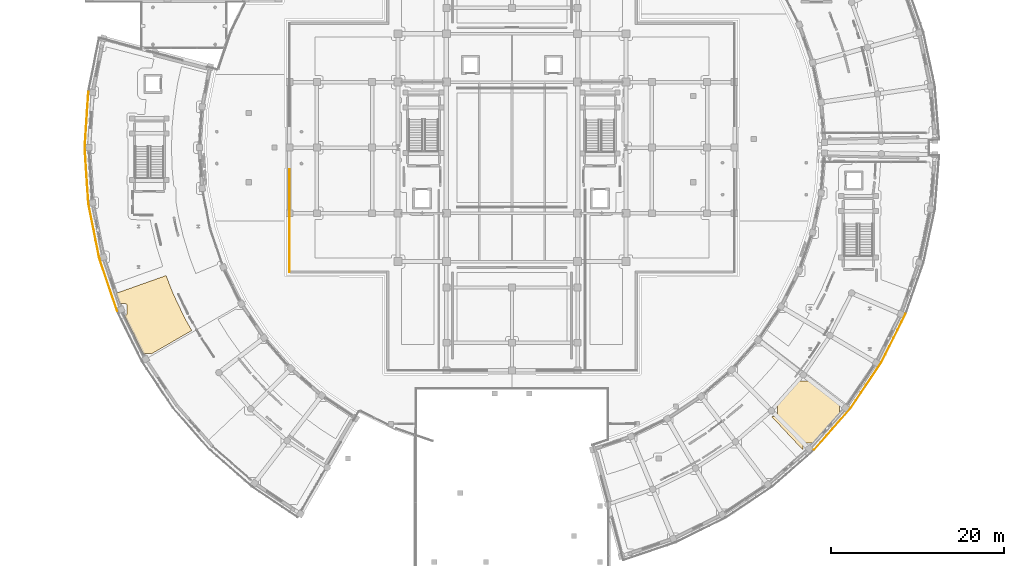
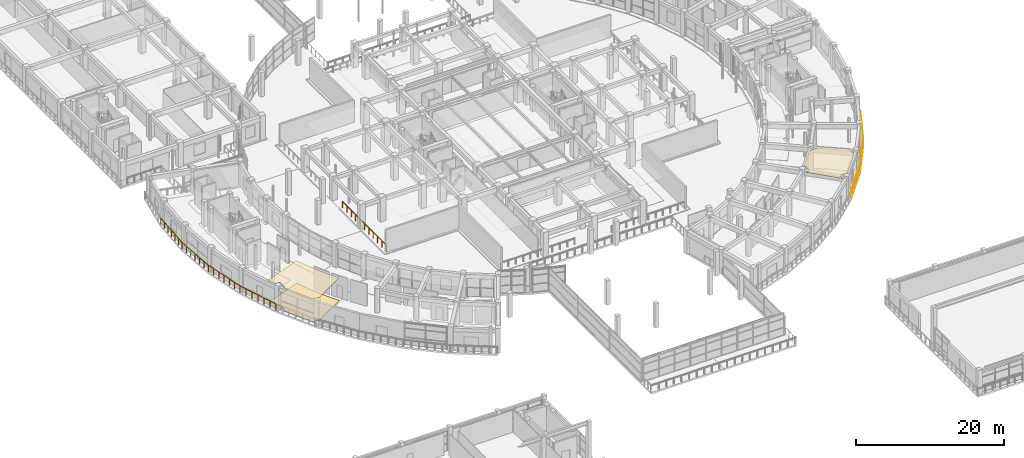
# One storey, part 74 of 87: 8 railings, 3 coverings.
"""IFC4 building model written with IfcOpenShell, lengths in metres."""

from ifc_helpers import new_model, si_unit, direction, frame, origin, origin_2d, place, context, subcontext, project, spatial, polyline, rectangle, outline, extrude, material, layer, layer_set, type_object, element, save


model = new_model("IFC4")

# Units and contexts
model_context = context("Model", 3, precision=1e-05, world=origin(), true_north=direction((0.0, 1.0)))
body_context = subcontext(model_context, "Body", "Model", "MODEL_VIEW")
ifc_project = project(units=[si_unit("LENGTHUNIT", "METRE"), si_unit("AREAUNIT", "SQUARE_METRE"), si_unit("VOLUMEUNIT", "CUBIC_METRE"), si_unit("PLANEANGLEUNIT", "RADIAN"), si_unit("MASSUNIT", "GRAM", prefix="KILO")], contexts=[model_context])

# Site, building, storey
site_placement = place(None, origin())
site = spatial("IfcSite", under=ifc_project, at=site_placement, CompositionType="ELEMENT")
building_placement = place(site_placement, origin())
building = spatial("IfcBuilding", under=site, at=building_placement, Name="Saryqyr Civic Hall", CompositionType="ELEMENT")
storey_placement = place(building_placement, frame((0.0, 0.0, 5.10009765625)))
storey = spatial("IfcBuildingStorey", under=building, at=storey_placement, Name="L01", CompositionType="ELEMENT", Elevation=5.10009765625)

# Coverings
ifc_material_1 = material(Name="Mineral-fibre acoustic ceiling tile", Category="acoustic_tile")
ifc_layer_1 = layer(ifc_material_1, 0.06005859375, Name="Mineral-fibre acoustic ceiling tile")
ifc_layer_set_1 = layer_set([ifc_layer_1], Name="Mineral-fibre acoustic ceiling tile")
covering_type_1 = type_object("IfcCoveringType", Name="INT-COV-CEIL-60", PredefinedType="CEILING", material=ifc_layer_set_1)
covering_1_placement = place(storey_placement, frame((0.0, 0.0, 3.7099609375)))
element("IfcCovering", 1, at=covering_1_placement, inside=storey, type_object=covering_type_1, Name="Acoustic ceiling Bridal & Family Reception Salon", PredefinedType="CEILING", context=body_context, shape_type="SweptSolid", body=[
    extrude(outline(polyline([(17.80029296875, 66.943603515625), (19.053466796875, 64.3125), (19.071044921875, 64.27880859375), (19.899169921875, 62.810791015625), (15.186767578125, 60.090087890625), (15.171630859375, 60.106689453125), (15.1533203125, 60.123291015625), (15.1337890625, 60.137939453125), (15.112548828125, 60.150390625), (15.090576171875, 60.160888671875), (15.0673828125, 60.169189453125), (15.043701171875, 60.17529296875), (15.019287109375, 60.1787109375), (14.994873046875, 60.179931640625), (14.29248046875, 60.179931640625), (14.067138671875, 60.579833984375), (12.10009765625, 64.568603515625), (12.159912109375, 64.568603515625), (12.184326171875, 64.569580078125), (12.208740234375, 64.5732421875), (12.232421875, 64.579345703125), (12.255615234375, 64.58740234375), (12.277587890625, 64.597900390625), (12.298828125, 64.610595703125), (12.318603515625, 64.625244140625), (12.336669921875, 64.6416015625), (12.353271484375, 64.659912109375), (12.367919921875, 64.6796875), (12.38037109375, 64.70068359375), (12.390869140625, 64.722900390625), (12.399169921875, 64.745849609375), (12.405029296875, 64.769775390625), (12.40869140625, 64.7939453125), (12.409912109375, 64.818603515625), (12.409912109375, 65.678466796875), (12.40869140625, 65.702880859375), (12.405029296875, 65.727294921875), (12.399169921875, 65.751220703125), (12.390869140625, 65.774169921875), (12.38037109375, 65.79638671875), (12.367919921875, 65.8173828125), (12.353271484375, 65.837158203125), (12.336669921875, 65.855224609375), (12.318603515625, 65.871826171875), (12.298828125, 65.886474609375), (12.277587890625, 65.89892578125), (12.255615234375, 65.909423828125), (12.232421875, 65.917724609375), (12.208740234375, 65.923583984375), (12.184326171875, 65.92724609375), (12.159912109375, 65.928466796875), (11.56103515625, 65.928466796875), (11.35302734375, 66.4560546875), (11.126953125, 67.121826171875), (16.9189453125, 69.176513671875), (17.78515625, 66.978271484375), (17.80029296875, 66.943603515625)])), origin(), (0.0, 0.0, 1.0), 0.06005859375),
])
covering_2_placement = place(storey_placement, frame((0.0, 0.0, 3.7099609375)))
element("IfcCovering", 2, at=covering_2_placement, inside=storey, type_object=covering_type_1, Name="Acoustic ceiling Broadcast Editing & Interpretation Booths", PredefinedType="CEILING", context=body_context, shape_type="SweptSolid", body=[
    extrude(outline(polyline([(87.542236328125, 52.83203125), (87.566650390625, 52.835693359375), (87.59033203125, 52.841552734375), (87.613525390625, 52.849853515625), (87.635498046875, 52.8603515625), (87.65673828125, 52.872802734375), (87.676513671875, 52.887451171875), (87.694580078125, 52.904052734375), (87.711181640625, 52.922119140625), (87.7255859375, 52.94189453125), (87.73828125, 52.962890625), (87.748779296875, 52.985107421875), (87.757080078125, 53.00830078125), (87.762939453125, 53.031982421875), (87.7666015625, 53.056396484375), (87.767822265625, 53.080810546875), (87.767822265625, 53.99072265625), (87.7666015625, 54.015380859375), (87.762939453125, 54.03955078125), (87.757080078125, 54.0634765625), (87.748779296875, 54.08642578125), (87.73828125, 54.108642578125), (87.7255859375, 54.129638671875), (87.711181640625, 54.1494140625), (87.694580078125, 54.16748046875), (87.676513671875, 54.18408203125), (87.65673828125, 54.19873046875), (87.635498046875, 54.211181640625), (87.63525390625, 54.21142578125), (88.25390625, 54.832763671875), (88.278564453125, 54.859130859375), (90.102783203125, 56.94921875), (90.12548828125, 56.977294921875), (90.144287109375, 57.001708984375), (90.14453125, 57.00146484375), (90.16552734375, 56.989013671875), (90.187744140625, 56.978515625), (90.210693359375, 56.97021484375), (90.234619140625, 56.964111328125), (90.2587890625, 56.960693359375), (90.283447265625, 56.95947265625), (91.193359375, 56.95947265625), (91.218017578125, 56.960693359375), (91.2421875, 56.964111328125), (91.26611328125, 56.97021484375), (91.2890625, 56.978515625), (91.311279296875, 56.989013671875), (91.332275390625, 57.00146484375), (91.35205078125, 57.01611328125), (91.3701171875, 57.03271484375), (91.38671875, 57.05078125), (91.4013671875, 57.070556640625), (91.413818359375, 57.091552734375), (91.42431640625, 57.11376953125), (91.4326171875, 57.13671875), (91.438720703125, 57.16064453125), (91.442138671875, 57.184814453125), (91.443359375, 57.20947265625), (91.443359375, 57.318603515625), (95.10205078125, 54.510986328125), (95.10009765625, 54.510498046875), (95.077880859375, 54.5), (95.056884765625, 54.4873046875), (95.037109375, 54.47265625), (95.018798828125, 54.456298828125), (95.00244140625, 54.43798828125), (94.98779296875, 54.418212890625), (94.97509765625, 54.397216796875), (94.964599609375, 54.375), (94.95654296875, 54.35205078125), (94.950439453125, 54.328125), (94.947021484375, 54.303955078125), (94.94580078125, 54.279296875), (94.94580078125, 53.41943359375), (94.947021484375, 53.39501953125), (94.950439453125, 53.37060546875), (94.95654296875, 53.3466796875), (94.964599609375, 53.32373046875), (94.97509765625, 53.301513671875), (94.98779296875, 53.280517578125), (95.00244140625, 53.2607421875), (95.018798828125, 53.24267578125), (92.305908203125, 50.1494140625), (91.9423828125, 49.783935546875), (91.92041015625, 49.7919921875), (91.896484375, 49.7978515625), (91.872314453125, 49.801513671875), (91.84765625, 49.802734375), (90.98779296875, 49.802734375), (90.963134765625, 49.801513671875), (90.93896484375, 49.7978515625), (90.9150390625, 49.7919921875), (90.89208984375, 49.78369140625), (90.869873046875, 49.773193359375), (90.848876953125, 49.760498046875), (90.8291015625, 49.74609375), (90.810791015625, 49.7294921875), (90.79443359375, 49.711181640625), (90.77978515625, 49.691650390625), (90.76708984375, 49.67041015625), (90.756591796875, 49.6484375), (90.74853515625, 49.625244140625), (90.742431640625, 49.6015625), (90.739013671875, 49.5771484375), (90.73779296875, 49.552734375), (90.73779296875, 48.948974609375), (87.087890625, 52.830810546875), (87.517822265625, 52.830810546875), (87.542236328125, 52.83203125)])), origin(), (0.0, 0.0, 1.0), 0.06005859375),
])
ifc_material_2 = material(Name="Polished terrazzo tile", Category="stone")
ifc_layer_2 = layer(ifc_material_2, 0.030029296875, Name="Polished terrazzo tile")
ifc_layer_set_2 = layer_set([ifc_layer_2], Name="Polished terrazzo tile")
covering_type_2 = type_object("IfcCoveringType", Name="INT-COV-FLR-30", PredefinedType="FLOORING", material=ifc_layer_set_2)
covering_3_placement = place(storey_placement, origin())
element("IfcCovering", 3, at=covering_3_placement, inside=storey, type_object=covering_type_2, Name="Polished terrazzo flooring Bridal & Family Reception Salon", PredefinedType="FLOORING", context=body_context, shape_type="SweptSolid", body=[
    extrude(outline(polyline([(17.80029296875, 66.943603515625), (19.053466796875, 64.3125), (19.071044921875, 64.27880859375), (19.899169921875, 62.810791015625), (15.186767578125, 60.090087890625), (15.171630859375, 60.106689453125), (15.1533203125, 60.123291015625), (15.1337890625, 60.137939453125), (15.112548828125, 60.150390625), (15.090576171875, 60.160888671875), (15.0673828125, 60.169189453125), (15.043701171875, 60.17529296875), (15.019287109375, 60.1787109375), (14.994873046875, 60.179931640625), (14.29248046875, 60.179931640625), (14.067138671875, 60.579833984375), (12.10009765625, 64.568603515625), (12.159912109375, 64.568603515625), (12.184326171875, 64.569580078125), (12.208740234375, 64.5732421875), (12.232421875, 64.579345703125), (12.255615234375, 64.58740234375), (12.277587890625, 64.597900390625), (12.298828125, 64.610595703125), (12.318603515625, 64.625244140625), (12.336669921875, 64.6416015625), (12.353271484375, 64.659912109375), (12.367919921875, 64.6796875), (12.38037109375, 64.70068359375), (12.390869140625, 64.722900390625), (12.399169921875, 64.745849609375), (12.405029296875, 64.769775390625), (12.40869140625, 64.7939453125), (12.409912109375, 64.818603515625), (12.409912109375, 65.678466796875), (12.40869140625, 65.702880859375), (12.405029296875, 65.727294921875), (12.399169921875, 65.751220703125), (12.390869140625, 65.774169921875), (12.38037109375, 65.79638671875), (12.367919921875, 65.8173828125), (12.353271484375, 65.837158203125), (12.336669921875, 65.855224609375), (12.318603515625, 65.871826171875), (12.298828125, 65.886474609375), (12.277587890625, 65.89892578125), (12.255615234375, 65.909423828125), (12.232421875, 65.917724609375), (12.208740234375, 65.923583984375), (12.184326171875, 65.92724609375), (12.159912109375, 65.928466796875), (11.56103515625, 65.928466796875), (11.35302734375, 66.4560546875), (11.126953125, 67.121826171875), (16.9189453125, 69.176513671875), (17.78515625, 66.978271484375), (17.80029296875, 66.943603515625)])), origin(), (0.0, 0.0, 1.0), 0.02978515625),
])

# Railings
ifc_material_3 = material(Name="Warm brushed brass and laminated glass", Category="glass")
ifc_layer_3 = layer(ifc_material_3, 0.06005859375, Name="Warm brushed brass and laminated glass")
ifc_layer_set_3 = layer_set([ifc_layer_3], Name="Warm brushed brass and laminated glass")
railing_type = type_object("IfcRailingType", Name="INT-RLG-BAL-1100", PredefinedType="BALUSTRADE", material=ifc_layer_set_3)
railing_1_placement = place(storey_placement, frame((31.199951171875, 69.60009765625, 0.0)))
element("IfcRailing", 4, at=railing_1_placement, inside=storey, type_object=railing_type, Name="Perimeter safety balustrade V1-JNTGA-L01-02-G01", PredefinedType="BALUSTRADE", context=body_context, shape_type="SweptSolid", body=[
    extrude(rectangle(XDim=0.048095703125, YDim=0.048095703125, at=origin_2d()), frame((0.0, 0.0, 1.076171875), z_axis=(0.0, 1.0, 0.0), x_axis=(-1.0, 0.0, 0.0)), (0.0, 0.0, 1.0), 11.89990234375),
    extrude(rectangle(XDim=0.0419921875, YDim=0.0419921875, at=origin_2d()), origin(), (0.0, 0.0, 1.0), 1.052001953125),
    extrude(rectangle(XDim=0.0419921875, YDim=0.0419921875, at=origin_2d()), frame((0.0, 1.18994140625, 0.0)), (0.0, 0.0, 1.0), 1.052001953125),
    extrude(rectangle(XDim=0.0419921875, YDim=0.0419921875, at=origin_2d()), frame((0.0, 2.3798828125, 0.0)), (0.0, 0.0, 1.0), 1.052001953125),
    extrude(rectangle(XDim=0.0419921875, YDim=0.0419921875, at=origin_2d()), frame((0.0, 3.570068359375, 0.0)), (0.0, 0.0, 1.0), 1.052001953125),
    extrude(rectangle(XDim=0.0419921875, YDim=0.0419921875, at=origin_2d()), frame((0.0, 4.760009765625, 0.0)), (0.0, 0.0, 1.0), 1.052001953125),
    extrude(rectangle(XDim=0.0419921875, YDim=0.0419921875, at=origin_2d()), frame((0.0, 5.949951171875, 0.0)), (0.0, 0.0, 1.0), 1.052001953125),
    extrude(rectangle(XDim=0.0419921875, YDim=0.0419921875, at=origin_2d()), frame((0.0, 7.139892578125, 0.0)), (0.0, 0.0, 1.0), 1.052001953125),
    extrude(rectangle(XDim=0.0419921875, YDim=0.0419921875, at=origin_2d()), frame((0.0, 8.329833984375, 0.0)), (0.0, 0.0, 1.0), 1.052001953125),
    extrude(rectangle(XDim=0.0419921875, YDim=0.0419921875, at=origin_2d()), frame((0.0, 9.52001953125, 0.0)), (0.0, 0.0, 1.0), 1.052001953125),
    extrude(rectangle(XDim=0.0419921875, YDim=0.0419921875, at=origin_2d()), frame((0.0, 10.7099609375, 0.0)), (0.0, 0.0, 1.0), 1.052001953125),
    extrude(rectangle(XDim=0.0419921875, YDim=0.0419921875, at=origin_2d()), frame((0.0, 11.89990234375, 0.0)), (0.0, 0.0, 1.0), 1.052001953125),
])
railing_2_placement = place(storey_placement, frame((11.268310546875, 65.057373046875, 0.0)))
element("IfcRailing", 5, at=railing_2_placement, inside=storey, type_object=railing_type, Name="Interior deck safety balustrade L01-013", PredefinedType="BALUSTRADE", context=body_context, shape_type="SweptSolid", body=[
    extrude(rectangle(XDim=0.048095703125, YDim=0.048095703125, at=origin_2d()), frame((0.0, 0.0, 1.09619140625), z_axis=(-0.321449107992, 0.946926856189, 0.0), x_axis=(-0.946926856189, -0.321449107992, 0.0)), (0.0, 0.0, 1.0), 6.474853515625),
    extrude(rectangle(XDim=0.0419921875, YDim=0.0419921875, at=origin_2d()), origin(), (0.0, 0.0, 1.0), 1.072021484375),
    extrude(rectangle(XDim=0.0419921875, YDim=0.0419921875, at=origin_2d()), frame((-0.346923828125, 1.02197265625, 0.0)), (0.0, 0.0, 1.0), 1.072021484375),
    extrude(rectangle(XDim=0.0419921875, YDim=0.0419921875, at=origin_2d()), frame((-0.69384765625, 2.043701171875, 0.0)), (0.0, 0.0, 1.0), 1.072021484375),
    extrude(rectangle(XDim=0.0419921875, YDim=0.0419921875, at=origin_2d()), frame((-1.04052734375, 3.0654296875, 0.0)), (0.0, 0.0, 1.0), 1.072021484375),
    extrude(rectangle(XDim=0.0419921875, YDim=0.0419921875, at=origin_2d()), frame((-1.387451171875, 4.08740234375, 0.0)), (0.0, 0.0, 1.0), 1.072021484375),
    extrude(rectangle(XDim=0.0419921875, YDim=0.0419921875, at=origin_2d()), frame((-1.734375, 5.109375, 0.0)), (0.0, 0.0, 1.0), 1.072021484375),
    extrude(rectangle(XDim=0.0419921875, YDim=0.0419921875, at=origin_2d()), frame((-2.081298828125, 6.131103515625, 0.0)), (0.0, 0.0, 1.0), 1.072021484375),
])
railing_3_placement = place(storey_placement, frame((9.18701171875, 71.1884765625, 0.0)))
element("IfcRailing", 6, at=railing_3_placement, inside=storey, type_object=railing_type, Name="Interior deck safety balustrade L01-014", PredefinedType="BALUSTRADE", context=body_context, shape_type="SweptSolid", body=[
    extrude(rectangle(XDim=0.048095703125, YDim=0.048095703125, at=origin_2d()), frame((0.0, 0.0, 1.09619140625), z_axis=(-0.195122656431, 0.980778848134, 0.0), x_axis=(-0.980778848134, -0.195122656431, 0.0)), (0.0, 0.0, 1.0), 6.47509765625),
    extrude(rectangle(XDim=0.0419921875, YDim=0.0419921875, at=origin_2d()), origin(), (0.0, 0.0, 1.0), 1.072021484375),
    extrude(rectangle(XDim=0.0419921875, YDim=0.0419921875, at=origin_2d()), frame((-0.21044921875, 1.058349609375, 0.0)), (0.0, 0.0, 1.0), 1.072021484375),
    extrude(rectangle(XDim=0.0419921875, YDim=0.0419921875, at=origin_2d()), frame((-0.421142578125, 2.116943359375, 0.0)), (0.0, 0.0, 1.0), 1.072021484375),
    extrude(rectangle(XDim=0.0419921875, YDim=0.0419921875, at=origin_2d()), frame((-0.6318359375, 3.17529296875, 0.0)), (0.0, 0.0, 1.0), 1.072021484375),
    extrude(rectangle(XDim=0.0419921875, YDim=0.0419921875, at=origin_2d()), frame((-0.84228515625, 4.233642578125, 0.0)), (0.0, 0.0, 1.0), 1.072021484375),
    extrude(rectangle(XDim=0.0419921875, YDim=0.0419921875, at=origin_2d()), frame((-1.052734375, 5.292236328125, 0.0)), (0.0, 0.0, 1.0), 1.072021484375),
    extrude(rectangle(XDim=0.0419921875, YDim=0.0419921875, at=origin_2d()), frame((-1.263427734375, 6.3505859375, 0.0)), (0.0, 0.0, 1.0), 1.072021484375),
])
railing_4_placement = place(storey_placement, frame((7.923583984375, 77.5390625, 0.0)))
element("IfcRailing", 7, at=railing_4_placement, inside=storey, type_object=railing_type, Name="Interior deck safety balustrade L01-015", PredefinedType="BALUSTRADE", context=body_context, shape_type="SweptSolid", body=[
    extrude(rectangle(XDim=0.048095703125, YDim=0.048095703125, at=origin_2d()), frame((0.0, 0.0, 1.09619140625), z_axis=(-0.0653827723, 0.997860257294, 0.0), x_axis=(-0.997860257294, -0.0653827723, 0.0)), (0.0, 0.0, 1.0), 6.474853515625),
    extrude(rectangle(XDim=0.0419921875, YDim=0.0419921875, at=origin_2d()), origin(), (0.0, 0.0, 1.0), 1.072021484375),
    extrude(rectangle(XDim=0.0419921875, YDim=0.0419921875, at=origin_2d()), frame((-0.070556640625, 1.076904296875, 0.0)), (0.0, 0.0, 1.0), 1.072021484375),
    extrude(rectangle(XDim=0.0419921875, YDim=0.0419921875, at=origin_2d()), frame((-0.14111328125, 2.153564453125, 0.0)), (0.0, 0.0, 1.0), 1.072021484375),
    extrude(rectangle(XDim=0.0419921875, YDim=0.0419921875, at=origin_2d()), frame((-0.211669921875, 3.23046875, 0.0)), (0.0, 0.0, 1.0), 1.072021484375),
    extrude(rectangle(XDim=0.0419921875, YDim=0.0419921875, at=origin_2d()), frame((-0.2822265625, 4.307373046875, 0.0)), (0.0, 0.0, 1.0), 1.072021484375),
    extrude(rectangle(XDim=0.0419921875, YDim=0.0419921875, at=origin_2d()), frame((-0.352783203125, 5.384033203125, 0.0)), (0.0, 0.0, 1.0), 1.072021484375),
    extrude(rectangle(XDim=0.0419921875, YDim=0.0419921875, at=origin_2d()), frame((-0.42333984375, 6.4609375, 0.0)), (0.0, 0.0, 1.0), 1.072021484375),
])
railing_5_placement = place(storey_placement, frame((7.500244140625, 84.0, 0.0)))
element("IfcRailing", 8, at=railing_5_placement, inside=storey, type_object=railing_type, Name="Interior deck safety balustrade L01-016", PredefinedType="BALUSTRADE", context=body_context, shape_type="SweptSolid", body=[
    extrude(rectangle(XDim=0.048095703125, YDim=0.048095703125, at=origin_2d()), frame((0.0, 0.0, 1.09619140625), z_axis=(0.0653827723, 0.997860257294, 0.0), x_axis=(-0.997860257294, 0.0653827723, 0.0)), (0.0, 0.0, 1.0), 6.474853515625),
    extrude(rectangle(XDim=0.0419921875, YDim=0.0419921875, at=origin_2d()), origin(), (0.0, 0.0, 1.0), 1.072021484375),
    extrude(rectangle(XDim=0.0419921875, YDim=0.0419921875, at=origin_2d()), frame((0.070556640625, 1.076904296875, 0.0)), (0.0, 0.0, 1.0), 1.072021484375),
    extrude(rectangle(XDim=0.0419921875, YDim=0.0419921875, at=origin_2d()), frame((0.14111328125, 2.153564453125, 0.0)), (0.0, 0.0, 1.0), 1.072021484375),
    extrude(rectangle(XDim=0.0419921875, YDim=0.0419921875, at=origin_2d()), frame((0.211669921875, 3.23046875, 0.0)), (0.0, 0.0, 1.0), 1.072021484375),
    extrude(rectangle(XDim=0.0419921875, YDim=0.0419921875, at=origin_2d()), frame((0.2822265625, 4.307373046875, 0.0)), (0.0, 0.0, 1.0), 1.072021484375),
    extrude(rectangle(XDim=0.0419921875, YDim=0.0419921875, at=origin_2d()), frame((0.352783203125, 5.384033203125, 0.0)), (0.0, 0.0, 1.0), 1.072021484375),
    extrude(rectangle(XDim=0.0419921875, YDim=0.0419921875, at=origin_2d()), frame((0.42333984375, 6.4609375, 0.0)), (0.0, 0.0, 1.0), 1.072021484375),
])
railing_6_placement = place(storey_placement, frame((102.605224609375, 64.75439453125, 0.0)))
element("IfcRailing", 9, at=railing_6_placement, inside=storey, type_object=railing_type, Name="Interior deck safety balustrade L01-045", PredefinedType="BALUSTRADE", context=body_context, shape_type="SweptSolid", body=[
    extrude(rectangle(XDim=0.048095703125, YDim=0.048095703125, at=origin_2d()), frame((0.0, 0.0, 1.09619140625), z_axis=(-0.446733837766, -0.894666909076, 0.0), x_axis=(0.894666909076, -0.446733837766, 0.0)), (0.0, 0.0, 1.0), 6.31103515625),
    extrude(rectangle(XDim=0.0419921875, YDim=0.0419921875, at=origin_2d()), origin(), (0.0, 0.0, 1.0), 1.072021484375),
    extrude(rectangle(XDim=0.0419921875, YDim=0.0419921875, at=origin_2d()), frame((-0.469970703125, -0.94091796875, 0.0)), (0.0, 0.0, 1.0), 1.072021484375),
    extrude(rectangle(XDim=0.0419921875, YDim=0.0419921875, at=origin_2d()), frame((-0.939697265625, -1.882080078125, 0.0)), (0.0, 0.0, 1.0), 1.072021484375),
    extrude(rectangle(XDim=0.0419921875, YDim=0.0419921875, at=origin_2d()), frame((-1.40966796875, -2.8232421875, 0.0)), (0.0, 0.0, 1.0), 1.072021484375),
    extrude(rectangle(XDim=0.0419921875, YDim=0.0419921875, at=origin_2d()), frame((-1.879638671875, -3.76416015625, 0.0)), (0.0, 0.0, 1.0), 1.072021484375),
    extrude(rectangle(XDim=0.0419921875, YDim=0.0419921875, at=origin_2d()), frame((-2.349365234375, -4.705078125, 0.0)), (0.0, 0.0, 1.0), 1.072021484375),
    extrude(rectangle(XDim=0.0419921875, YDim=0.0419921875, at=origin_2d()), frame((-2.8193359375, -5.646240234375, 0.0)), (0.0, 0.0, 1.0), 1.072021484375),
])
railing_7_placement = place(storey_placement, frame((99.785888671875, 59.108154296875, 0.0)))
element("IfcRailing", 10, at=railing_7_placement, inside=storey, type_object=railing_type, Name="Interior deck safety balustrade L01-046", PredefinedType="BALUSTRADE", context=body_context, shape_type="SweptSolid", body=[
    extrude(rectangle(XDim=0.048095703125, YDim=0.048095703125, at=origin_2d()), frame((0.0, 0.0, 1.09619140625), z_axis=(-0.556965587004, -0.830535571119, 0.0), x_axis=(0.830535571119, -0.556965587004, 0.0)), (0.0, 0.0, 1.0), 6.311279296875),
    extrude(rectangle(XDim=0.0419921875, YDim=0.0419921875, at=origin_2d()), origin(), (0.0, 0.0, 1.0), 1.072021484375),
    extrude(rectangle(XDim=0.0419921875, YDim=0.0419921875, at=origin_2d()), frame((-0.5859375, -0.87353515625, 0.0)), (0.0, 0.0, 1.0), 1.072021484375),
    extrude(rectangle(XDim=0.0419921875, YDim=0.0419921875, at=origin_2d()), frame((-1.171630859375, -1.747314453125, 0.0)), (0.0, 0.0, 1.0), 1.072021484375),
    extrude(rectangle(XDim=0.0419921875, YDim=0.0419921875, at=origin_2d()), frame((-1.757568359375, -2.620849609375, 0.0)), (0.0, 0.0, 1.0), 1.072021484375),
    extrude(rectangle(XDim=0.0419921875, YDim=0.0419921875, at=origin_2d()), frame((-2.343505859375, -3.494384765625, 0.0)), (0.0, 0.0, 1.0), 1.072021484375),
    extrude(rectangle(XDim=0.0419921875, YDim=0.0419921875, at=origin_2d()), frame((-2.92919921875, -4.3681640625, 0.0)), (0.0, 0.0, 1.0), 1.072021484375),
    extrude(rectangle(XDim=0.0419921875, YDim=0.0419921875, at=origin_2d()), frame((-3.51513671875, -5.24169921875, 0.0)), (0.0, 0.0, 1.0), 1.072021484375),
])
railing_8_placement = place(storey_placement, frame((96.270751953125, 53.866455078125, 0.0)))
element("IfcRailing", 11, at=railing_8_placement, inside=storey, type_object=railing_type, Name="Interior deck safety balustrade L01-047", PredefinedType="BALUSTRADE", context=body_context, shape_type="SweptSolid", body=[
    extrude(rectangle(XDim=0.048095703125, YDim=0.048095703125, at=origin_2d()), frame((0.0, 0.0, 1.09619140625), z_axis=(-0.659326405009, -0.751856829228, 0.0), x_axis=(0.751856829228, -0.659326405009, 0.0)), (0.0, 0.0, 1.0), 6.474853515625),
    extrude(rectangle(XDim=0.0419921875, YDim=0.0419921875, at=origin_2d()), origin(), (0.0, 0.0, 1.0), 1.072021484375),
    extrude(rectangle(XDim=0.0419921875, YDim=0.0419921875, at=origin_2d()), frame((-0.71142578125, -0.811279296875, 0.0)), (0.0, 0.0, 1.0), 1.072021484375),
    extrude(rectangle(XDim=0.0419921875, YDim=0.0419921875, at=origin_2d()), frame((-1.423095703125, -1.622802734375, 0.0)), (0.0, 0.0, 1.0), 1.072021484375),
    extrude(rectangle(XDim=0.0419921875, YDim=0.0419921875, at=origin_2d()), frame((-2.134521484375, -2.43408203125, 0.0)), (0.0, 0.0, 1.0), 1.072021484375),
    extrude(rectangle(XDim=0.0419921875, YDim=0.0419921875, at=origin_2d()), frame((-2.845947265625, -3.245361328125, 0.0)), (0.0, 0.0, 1.0), 1.072021484375),
    extrude(rectangle(XDim=0.0419921875, YDim=0.0419921875, at=origin_2d()), frame((-3.5576171875, -4.056884765625, 0.0)), (0.0, 0.0, 1.0), 1.072021484375),
    extrude(rectangle(XDim=0.0419921875, YDim=0.0419921875, at=origin_2d()), frame((-4.26904296875, -4.8681640625, 0.0)), (0.0, 0.0, 1.0), 1.072021484375),
])

save(model, "model.ifc")
